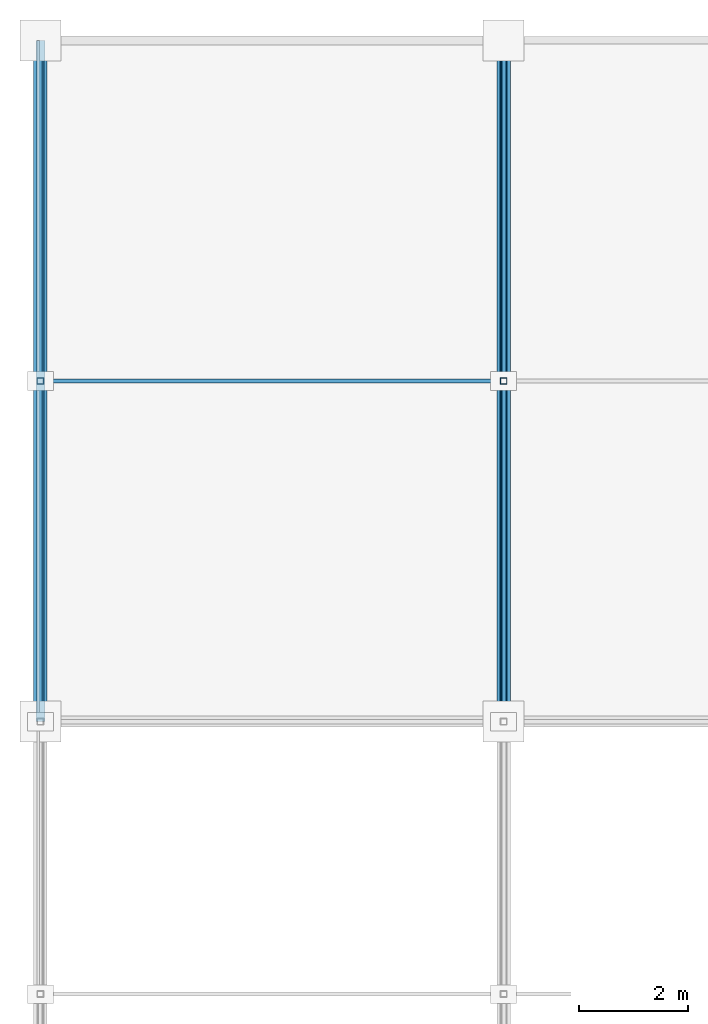
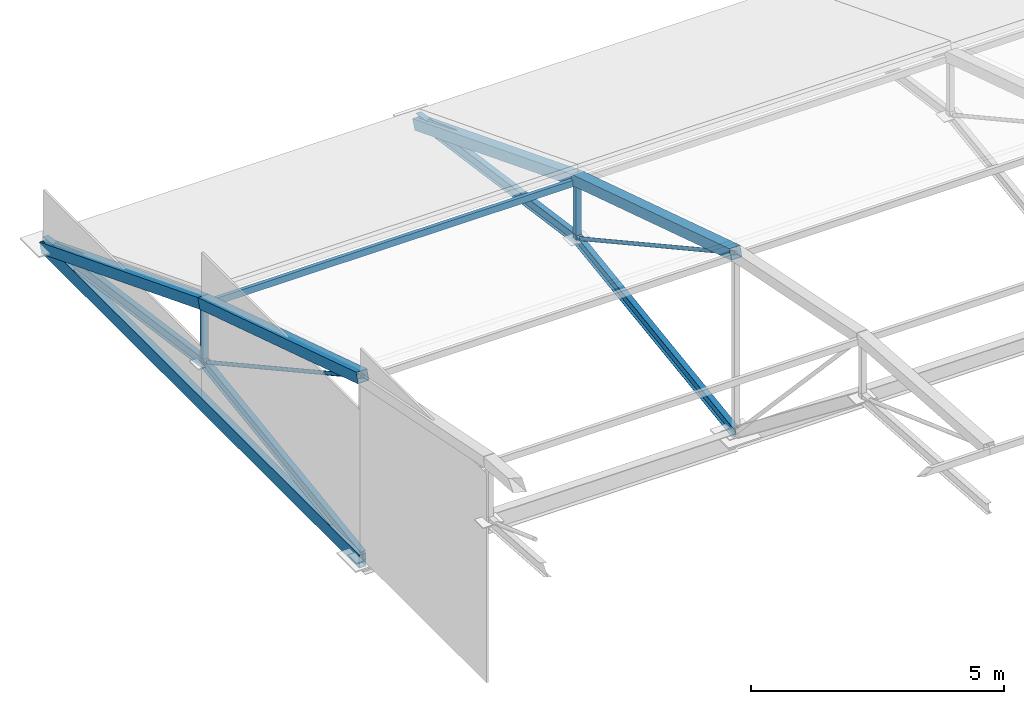
# One storey, part 32 of 66: 15 members, 1 beam.
"""IFC4 building model written with IfcOpenShell, lengths in metres."""

from ifc_helpers import new_model, si_unit, direction, frame, origin, origin_2d, place, context, subcontext, project, spatial, hollow_rectangle, hollow_circle, i_section, extrude, material, material_profile, profile_set, type_object, element, save


model = new_model("IFC4")

# Units and contexts
model_context = context("Model", 3, precision=1e-05, world=origin(), true_north=direction((0.0, 1.0)))
body_context = subcontext(model_context, "Body", "Model", "MODEL_VIEW")
ifc_project = project(units=[si_unit("LENGTHUNIT", "METRE"), si_unit("AREAUNIT", "SQUARE_METRE"), si_unit("VOLUMEUNIT", "CUBIC_METRE"), si_unit("PLANEANGLEUNIT", "RADIAN"), si_unit("MASSUNIT", "GRAM", prefix="KILO")], contexts=[model_context])

# Site, building, storey
site_placement = place(None, origin())
site = spatial("IfcSite", under=ifc_project, at=site_placement, CompositionType="ELEMENT")
building_placement = place(site_placement, origin())
building = spatial("IfcBuilding", under=site, at=building_placement, Name="Solvikara Media Centre", CompositionType="ELEMENT")
storey_placement = place(building_placement, frame((0.0, 0.0, 19.800048828125)))
storey = spatial("IfcBuildingStorey", under=building, at=storey_placement, Name="L04", CompositionType="ELEMENT", Elevation=19.800048828125)

# Beam
ifc_material = material(Name="Steel S355JR", Category="steel")
ifc_material_profile_1 = material_profile(ifc_material, hollow_rectangle(XDim=0.159912109375, YDim=0.320068359375, WallThickness=0.010009765625, at=origin_2d()), Name="RHS 320x160x10")
ifc_profile_set_1 = profile_set([ifc_material_profile_1], Name="Steel S355JR")
beam_type = type_object("IfcBeamType", Name="BM-45", PredefinedType="SPANDREL", material=ifc_profile_set_1)
beam_placement = place(storey_placement, frame((0.0, 101.5, -0.260009765625), z_axis=(0.0, 1.0, 0.0), x_axis=(-1.0, 0.0, 0.0)))
element("IfcBeam", 1, at=beam_placement, inside=storey, type_object=beam_type, Name="B-L04-Y1495", PredefinedType="SPANDREL", context=body_context, shape_type="SweptSolid", body=[
    extrude(hollow_rectangle(XDim=0.159912109375, YDim=0.320068359375, WallThickness=0.010009765625, at=origin_2d()), origin(), (0.0, 0.0, 1.0), 12.5),
])

# Members
ifc_material_profile_2 = material_profile(ifc_material, hollow_circle(Radius=0.04443359375, WallThickness=0.0048828125, at=origin_2d()), Name="CHS 88.9x5")
ifc_profile_set_2 = profile_set([ifc_material_profile_2], Name="Steel S355JR")
member_type_1 = type_object("IfcMemberType", Name="MB-10", PredefinedType="BRACE", material=ifc_profile_set_2)
member_1_placement = place(storey_placement, frame((0.0, 114.0, -0.150146484375), z_axis=(0.0, -0.936701565778, 0.350128800114), x_axis=(1.0, 0.0, 0.0)))
element("IfcMember", 2, at=member_1_placement, inside=storey, type_object=member_type_1, Name="AM-DG-00-00", PredefinedType="BRACE", context=body_context, shape_type="SweptSolid", body=[
    extrude(hollow_circle(Radius=0.04443359375, WallThickness=0.0048828125, at=origin_2d()), origin(), (0.0, 0.0, 1.0), 6.67236328125),
])
member_2_placement = place(storey_placement, frame((0.0, 107.75, 0.73583984375), z_axis=(0.0, -0.875941246781, 0.482417798374), x_axis=(1.0, 0.0, 0.0)))
element("IfcMember", 3, at=member_2_placement, inside=storey, type_object=member_type_1, Name="AM-DG-00-01", PredefinedType="BRACE", context=body_context, shape_type="SweptSolid", body=[
    extrude(hollow_circle(Radius=0.04443359375, WallThickness=0.0048828125, at=origin_2d()), origin(), (0.0, 0.0, 1.0), 7.13525390625),
])
member_3_placement = place(storey_placement, frame((8.5, 114.0, -0.150146484375), z_axis=(0.0, -0.936701565778, 0.350128800114), x_axis=(1.0, 0.0, 0.0)))
element("IfcMember", 4, at=member_3_placement, inside=storey, type_object=member_type_1, Name="AM-DG-01-00", PredefinedType="BRACE", context=body_context, shape_type="SweptSolid", body=[
    extrude(hollow_circle(Radius=0.04443359375, WallThickness=0.0048828125, at=origin_2d()), origin(), (0.0, 0.0, 1.0), 6.67236328125),
])
member_4_placement = place(storey_placement, frame((8.5, 107.75, 0.73583984375), z_axis=(0.0, -0.875941246781, 0.482417798374), x_axis=(1.0, 0.0, 0.0)))
element("IfcMember", 5, at=member_4_placement, inside=storey, type_object=member_type_1, Name="AM-DG-01-01", PredefinedType="BRACE", context=body_context, shape_type="SweptSolid", body=[
    extrude(hollow_circle(Radius=0.04443359375, WallThickness=0.0048828125, at=origin_2d()), origin(), (0.0, 0.0, 1.0), 7.13525390625),
])
ifc_material_profile_3 = material_profile(ifc_material, hollow_rectangle(XDim=0.25, YDim=0.25, WallThickness=0.010009765625, at=origin_2d()), Name="RHS 250x250x10")
ifc_profile_set_3 = profile_set([ifc_material_profile_3], Name="Steel S355JR")
member_type_2 = type_object("IfcMemberType", Name="MB-12", PredefinedType="CHORD", material=ifc_profile_set_3)
member_5_placement = place(storey_placement, frame((0.0, 114.0, -0.26513671875), z_axis=(0.0, -0.930963503854, 0.365112249168), x_axis=(1.0, 0.0, 0.0)))
element("IfcMember", 6, at=member_5_placement, inside=storey, type_object=member_type_2, Name="AM-TC-00-00", PredefinedType="CHORD", context=body_context, shape_type="SweptSolid", body=[
    extrude(hollow_rectangle(XDim=0.25, YDim=0.25, WallThickness=0.010009765625, at=origin_2d()), origin(), (0.0, 0.0, 1.0), 6.71337890625),
])
member_6_placement = place(storey_placement, frame((0.0, 107.75, 2.18603515625), z_axis=(0.0, -0.952780010233, 0.303661410293), x_axis=(1.0, 0.0, 0.0)))
element("IfcMember", 7, at=member_6_placement, inside=storey, type_object=member_type_2, Name="AM-TC-00-01", PredefinedType="CHORD", context=body_context, shape_type="SweptSolid", body=[
    extrude(hollow_rectangle(XDim=0.25, YDim=0.25, WallThickness=0.010009765625, at=origin_2d()), origin(), (0.0, 0.0, 1.0), 6.559814453125),
])
member_7_placement = place(storey_placement, frame((8.5, 114.0, -0.26513671875), z_axis=(0.0, -0.930963503854, 0.365112249168), x_axis=(1.0, 0.0, 0.0)))
element("IfcMember", 8, at=member_7_placement, inside=storey, type_object=member_type_2, Name="AM-TC-01-00", PredefinedType="CHORD", context=body_context, shape_type="SweptSolid", body=[
    extrude(hollow_rectangle(XDim=0.25, YDim=0.25, WallThickness=0.010009765625, at=origin_2d()), origin(), (0.0, 0.0, 1.0), 6.71337890625),
])
member_8_placement = place(storey_placement, frame((8.5, 107.75, 2.18603515625), z_axis=(0.0, -0.952780010233, 0.303661410293), x_axis=(1.0, 0.0, 0.0)))
element("IfcMember", 9, at=member_8_placement, inside=storey, type_object=member_type_2, Name="AM-TC-01-01", PredefinedType="CHORD", context=body_context, shape_type="SweptSolid", body=[
    extrude(hollow_rectangle(XDim=0.25, YDim=0.25, WallThickness=0.010009765625, at=origin_2d()), origin(), (0.0, 0.0, 1.0), 6.559814453125),
])
ifc_material_profile_4 = material_profile(ifc_material, hollow_rectangle(XDim=0.080078125, YDim=0.159912109375, WallThickness=0.0048828125, at=origin_2d()), Name="RHS 160x80x5")
ifc_profile_set_4 = profile_set([ifc_material_profile_4], Name="Steel S355JR")
member_type_3 = type_object("IfcMemberType", Name="MB-19", PredefinedType="PURLIN", material=ifc_profile_set_4)
member_9_placement = place(storey_placement, frame((0.0, 107.75, 2.120849609375), z_axis=(1.0, 0.0, 0.0), x_axis=(0.0, 1.0, 0.0)))
element("IfcMember", 10, at=member_9_placement, inside=storey, type_object=member_type_3, Name="AM-PRL-00-01", PredefinedType="PURLIN", context=body_context, shape_type="SweptSolid", body=[
    extrude(hollow_rectangle(XDim=0.080078125, YDim=0.159912109375, WallThickness=0.0048828125, at=origin_2d()), origin(), (0.0, 0.0, 1.0), 8.5),
])
ifc_material_profile_5 = material_profile(ifc_material, i_section(OverallWidth=0.1240234375, OverallDepth=0.248046875, WebThickness=0.0048828125, FlangeThickness=0.008056640625, at=origin_2d()), Name="WF 248x124x5x8")
ifc_profile_set_5 = profile_set([ifc_material_profile_5], Name="Steel S355JR")
member_type_4 = type_object("IfcMemberType", Name="MB-23", PredefinedType="STRINGER", material=ifc_profile_set_5)
for number, where, z_axis, x_axis, name in (
    (11, (0.0, 114.0, -0.150146484375), (0.0, -0.990101301761, 0.140354594691), (1.0, 0.0, 0.0), "AM-BC-00-00"),
    (12, (0.0, 107.75, 0.73583984375), (0.0, -0.990101301761, -0.140354594691), (1.0, 0.0, 0.0), "AM-BC-00-01"),
    (13, (8.5, 114.0, -0.150146484375), (0.0, -0.990101301761, 0.140354594691), (1.0, 0.0, 0.0), "AM-BC-01-00"),
    (14, (8.5, 107.75, 0.73583984375), (0.0, -0.990101301761, -0.140354594691), (1.0, 0.0, 0.0), "AM-BC-01-01"),
):
    element("IfcMember", number, at=place(storey_placement, frame(where, z_axis=z_axis, x_axis=x_axis)), inside=storey, type_object=member_type_4, Name=name, PredefinedType="STRINGER", context=body_context, shape_type="SweptSolid", body=[
        extrude(i_section(OverallWidth=0.1240234375, OverallDepth=0.248046875, WebThickness=0.0048828125, FlangeThickness=0.008056640625, at=origin_2d()), origin(), (0.0, 0.0, 1.0), 6.3125),
    ])
ifc_material_profile_6 = material_profile(ifc_material, hollow_rectangle(XDim=0.1201171875, YDim=0.1201171875, WallThickness=0.006103515625, at=origin_2d()), Name="RHS 120x120x6")
ifc_profile_set_6 = profile_set([ifc_material_profile_6], Name="Steel S355JR")
member_type_5 = type_object("IfcMemberType", Name="MB-24", PredefinedType="POST", material=ifc_profile_set_6)
for number, where, z_axis, x_axis, name in (
    (15, (0.0, 107.75, 0.73583984375), (0.0, 0.0, 1.0), (1.0, 0.0, 0.0), "AM-VT-00-01"),
    (16, (8.5, 107.75, 0.73583984375), (0.0, 0.0, 1.0), (1.0, 0.0, 0.0), "AM-VT-01-01"),
):
    element("IfcMember", number, at=place(storey_placement, frame(where, z_axis=z_axis, x_axis=x_axis)), inside=storey, type_object=member_type_5, Name=name, PredefinedType="POST", context=body_context, shape_type="SweptSolid", body=[
        extrude(hollow_rectangle(XDim=0.1201171875, YDim=0.1201171875, WallThickness=0.006103515625, at=origin_2d()), origin(), (0.0, 0.0, 1.0), 1.4501953125),
    ])

save(model, "model.ifc")
